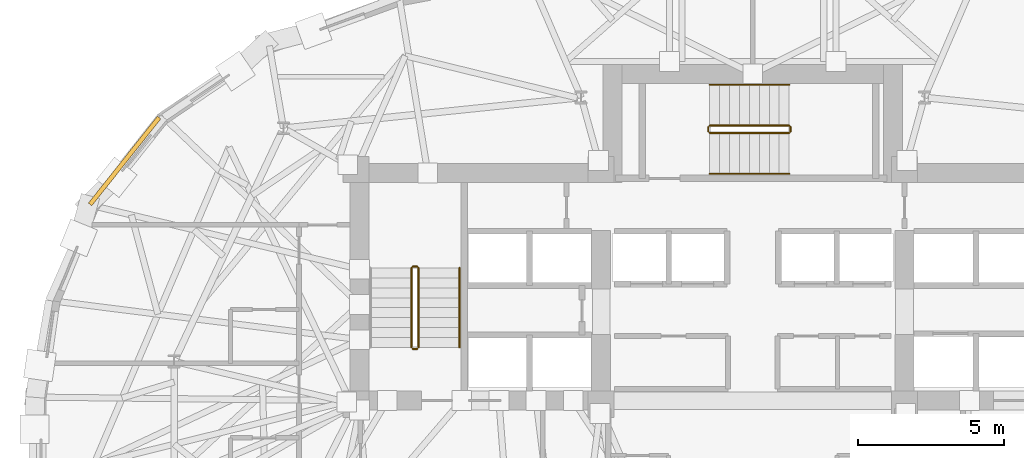
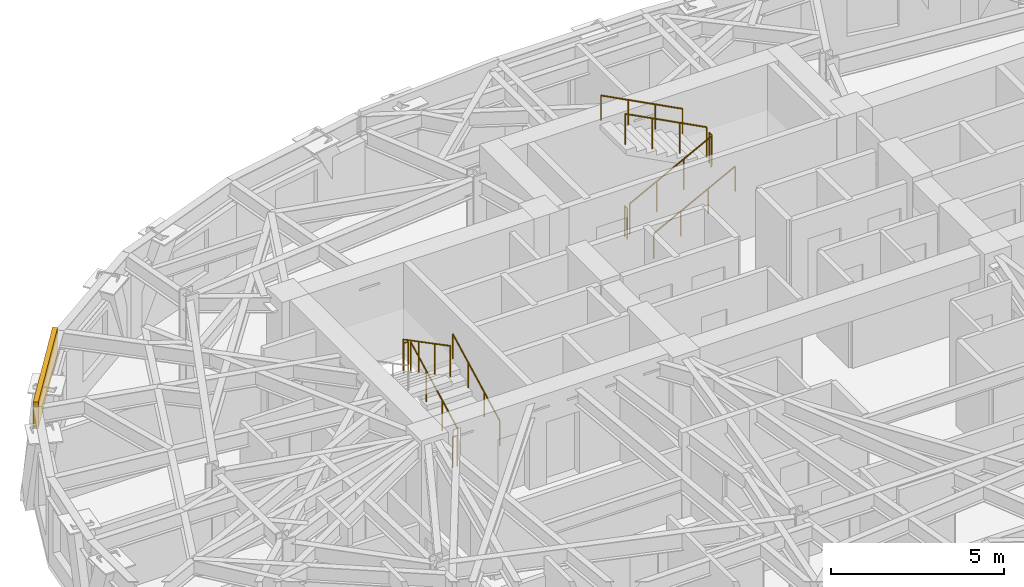
# One storey, part 13 of 15: 11 railings, 1 covering.
"""IFC4 building model written with IfcOpenShell, lengths in metres."""

from ifc_helpers import new_model, si_unit, direction, frame, origin, origin_2d, place, context, subcontext, project, spatial, rectangle, circle, extrude, material, layer, layer_set, type_object, element, save


model = new_model("IFC4")

# Units and contexts
model_context = context("Model", 3, precision=1e-05, world=origin(), true_north=direction((0.0, 1.0)))
body_context = subcontext(model_context, "Body", "Model", "MODEL_VIEW")
ifc_project = project(units=[si_unit("LENGTHUNIT", "METRE"), si_unit("AREAUNIT", "SQUARE_METRE"), si_unit("VOLUMEUNIT", "CUBIC_METRE"), si_unit("PLANEANGLEUNIT", "RADIAN"), si_unit("MASSUNIT", "GRAM", prefix="KILO")], contexts=[model_context])

# Site, building, storey
site_placement = place(None, origin())
site = spatial("IfcSite", under=ifc_project, at=site_placement, CompositionType="ELEMENT")
building_placement = place(site_placement, origin())
building = spatial("IfcBuilding", under=site, at=building_placement, Name="Keldmark Tower", CompositionType="ELEMENT")
storey_placement = place(building_placement, frame((0.0, 0.0, 147.0)))
storey = spatial("IfcBuildingStorey", under=building, at=storey_placement, Name="L39", CompositionType="ELEMENT", Elevation=147.0)

# Covering
ifc_material_1 = material(Name="Honed Kasota Buff Dolomitic Limestone", Category="masonry")
ifc_layer = layer(ifc_material_1, 0.074951171875)
ifc_layer_set = layer_set([ifc_layer], Name="Honed Kasota Buff Dolomitic Limestone")
covering_type = type_object("IfcCoveringType", Name="Kasota Buff Limestone Spandrel Cladding Band", PredefinedType="CLADDING", material=ifc_layer_set)
covering_placement = place(storey_placement, frame((-21.526123046875, 9.739501953125, 2.239013671875), z_axis=(0.0, 0.0, 1.0), x_axis=(-0.622145772126, -0.782901423058, 0.0)))
element("IfcCovering", 1, at=covering_placement, inside=storey, type_object=covering_type, Name="L39 Kasota Limestone Spandrel Band 13", PredefinedType="CLADDING", context=body_context, shape_type="SweptSolid", body=[
    extrude(rectangle(XDim=3.802978515625, YDim=0.14990234375, at=origin_2d()), origin(), (0.0, 0.0, 1.0), 0.94091796875),
])

# Railings
ifc_material_2 = material(Name="Painted Steel ASTM A500 Grade B", Category="steel")
railing_type_1 = type_object("IfcRailingType", Name="Painted Steel Stair Well Guard 1100 mm", PredefinedType="GUARDRAIL", material=ifc_material_2)
railing_1_placement = place(storey_placement, frame((-11.449951171875, 3.35009765625, 0.177734375)))
element("IfcRailing", 2, at=railing_1_placement, inside=storey, type_object=railing_type_1, Name="L39 ST1 stair guard 1", PredefinedType="GUARDRAIL", context=body_context, shape_type="SweptSolid", body=[
    extrude(circle(Radius=0.02392578125, at=origin_2d()), frame((0.0, 0.0, 1.076171875), z_axis=(0.0, 0.886150474775, 0.463397600399), x_axis=(-1.0, 0.0, 0.0)), (0.0, 0.0, 1.0), 3.0693359375),
    extrude(circle(Radius=0.02099609375, at=origin_2d()), origin(), (0.0, 0.0, 1.0), 1.052001953125),
    extrude(circle(Radius=0.02099609375, at=origin_2d()), frame((0.0, 0.90673828125, 0.47412109375)), (0.0, 0.0, 1.0), 1.052001953125),
    extrude(circle(Radius=0.02099609375, at=origin_2d()), frame((0.0, 1.813232421875, 0.9482421875)), (0.0, 0.0, 1.0), 1.052001953125),
    extrude(circle(Radius=0.02099609375, at=origin_2d()), frame((0.0, 2.719970703125, 1.42236328125)), (0.0, 0.0, 1.0), 1.052001953125),
])
railing_2_placement = place(storey_placement, frame((-11.5, 6.1201171875, 1.60009765625)))
element("IfcRailing", 3, at=railing_2_placement, inside=storey, type_object=railing_type_1, Name="L39 ST1 stair guard 2", PredefinedType="GUARDRAIL", context=body_context, shape_type="SweptSolid", body=[
    extrude(circle(Radius=0.02392578125, at=origin_2d()), frame((0.0, 0.0, 1.076171875), z_axis=(-1.0, 0.0, 0.0), x_axis=(0.0, -1.0, 0.0)), (0.0, 0.0, 1.0), 0.14990234375),
    extrude(circle(Radius=0.02099609375, at=origin_2d()), origin(), (0.0, 0.0, 1.0), 1.052001953125),
    extrude(circle(Radius=0.02099609375, at=origin_2d()), frame((-0.14990234375, 0.0, 0.0)), (0.0, 0.0, 1.0), 1.052001953125),
])
railing_3_placement = place(storey_placement, frame((-11.699951171875, 6.070068359375, 1.77783203125)))
element("IfcRailing", 4, at=railing_3_placement, inside=storey, type_object=railing_type_1, Name="L39 ST1 stair guard 3", PredefinedType="GUARDRAIL", context=body_context, shape_type="SweptSolid", body=[
    extrude(circle(Radius=0.02392578125, at=origin_2d()), frame((0.0, 0.0, 1.076171875), z_axis=(0.0, -0.886183135912, 0.463335137482), x_axis=(1.0, 0.0, 0.0)), (0.0, 0.0, 1.0), 3.0693359375),
    extrude(circle(Radius=0.02099609375, at=origin_2d()), origin(), (0.0, 0.0, 1.0), 1.052001953125),
    extrude(circle(Radius=0.02099609375, at=origin_2d()), frame((0.0, -0.90673828125, 0.47412109375)), (0.0, 0.0, 1.0), 1.052001953125),
    extrude(circle(Radius=0.02099609375, at=origin_2d()), frame((0.0, -1.813232421875, 0.947998046875)), (0.0, 0.0, 1.0), 1.052001953125),
    extrude(circle(Radius=0.02099609375, at=origin_2d()), frame((0.0, -2.719970703125, 1.422119140625)), (0.0, 0.0, 1.0), 1.052001953125),
])
railing_4_placement = place(storey_placement, frame((-11.5, 3.300048828125, 0.0)))
element("IfcRailing", 5, at=railing_4_placement, inside=storey, type_object=railing_type_1, Name="L39 ST1 stair guard 4", PredefinedType="GUARDRAIL", context=body_context, shape_type="SweptSolid", body=[
    extrude(circle(Radius=0.02392578125, at=origin_2d()), frame((0.0, 0.0, 1.076171875), z_axis=(-1.0, 0.0, 0.0), x_axis=(0.0, -1.0, 0.0)), (0.0, 0.0, 1.0), 0.14990234375),
    extrude(circle(Radius=0.02099609375, at=origin_2d()), origin(), (0.0, 0.0, 1.0), 1.052001953125),
    extrude(circle(Radius=0.02099609375, at=origin_2d()), frame((-0.14990234375, 0.0, 0.0)), (0.0, 0.0, 1.0), 1.052001953125),
])
railing_5_placement = place(storey_placement, frame((-1.47509765625, 10.699951171875, 0.177734375)))
element("IfcRailing", 6, at=railing_5_placement, inside=storey, type_object=railing_type_1, Name="L39 ST3 stair guard 1", PredefinedType="GUARDRAIL", context=body_context, shape_type="SweptSolid", body=[
    extrude(circle(Radius=0.02392578125, at=origin_2d()), frame((0.0, 0.0, 1.076171875), z_axis=(0.886167553088, 0.0, 0.463364940252), x_axis=(0.0, 1.0, 0.0)), (0.0, 0.0, 1.0), 3.069580078125),
    extrude(circle(Radius=0.02099609375, at=origin_2d()), origin(), (0.0, 0.0, 1.0), 1.052001953125),
    extrude(circle(Radius=0.02099609375, at=origin_2d()), frame((0.90673828125, 0.0, 0.47412109375)), (0.0, 0.0, 1.0), 1.052001953125),
    extrude(circle(Radius=0.02099609375, at=origin_2d()), frame((1.8134765625, 0.0, 0.9482421875)), (0.0, 0.0, 1.0), 1.052001953125),
    extrude(circle(Radius=0.02099609375, at=origin_2d()), frame((2.72021484375, 0.0, 1.42236328125)), (0.0, 0.0, 1.0), 1.052001953125),
])
railing_6_placement = place(storey_placement, frame((1.294921875, 10.75, 1.60009765625)))
element("IfcRailing", 7, at=railing_6_placement, inside=storey, type_object=railing_type_1, Name="L39 ST3 stair guard 2", PredefinedType="GUARDRAIL", context=body_context, shape_type="SweptSolid", body=[
    extrude(circle(Radius=0.02392578125, at=origin_2d()), frame((0.0, 0.0, 1.076171875), z_axis=(0.0, 1.0, 0.0), x_axis=(-1.0, 0.0, 0.0)), (0.0, 0.0, 1.0), 0.14990234375),
    extrude(circle(Radius=0.02099609375, at=origin_2d()), origin(), (0.0, 0.0, 1.0), 1.052001953125),
    extrude(circle(Radius=0.02099609375, at=origin_2d()), frame((0.0, 0.14990234375, 0.0)), (0.0, 0.0, 1.0), 1.052001953125),
])
railing_7_placement = place(storey_placement, frame((1.2451171875, 10.949951171875, 1.77783203125)))
element("IfcRailing", 8, at=railing_7_placement, inside=storey, type_object=railing_type_1, Name="L39 ST3 stair guard 3", PredefinedType="GUARDRAIL", context=body_context, shape_type="SweptSolid", body=[
    extrude(circle(Radius=0.02392578125, at=origin_2d()), frame((0.0, 0.0, 1.076171875), z_axis=(-0.886200210249, 0.0, 0.463302479331), x_axis=(0.0, -1.0, 0.0)), (0.0, 0.0, 1.0), 3.069580078125),
    extrude(circle(Radius=0.02099609375, at=origin_2d()), origin(), (0.0, 0.0, 1.0), 1.052001953125),
    extrude(circle(Radius=0.02099609375, at=origin_2d()), frame((-0.90673828125, 0.0, 0.47412109375)), (0.0, 0.0, 1.0), 1.052001953125),
    extrude(circle(Radius=0.02099609375, at=origin_2d()), frame((-1.8134765625, 0.0, 0.947998046875)), (0.0, 0.0, 1.0), 1.052001953125),
    extrude(circle(Radius=0.02099609375, at=origin_2d()), frame((-2.72021484375, 0.0, 1.422119140625)), (0.0, 0.0, 1.0), 1.052001953125),
])
railing_8_placement = place(storey_placement, frame((-1.52490234375, 10.75, 0.0)))
element("IfcRailing", 9, at=railing_8_placement, inside=storey, type_object=railing_type_1, Name="L39 ST3 stair guard 4", PredefinedType="GUARDRAIL", context=body_context, shape_type="SweptSolid", body=[
    extrude(circle(Radius=0.02392578125, at=origin_2d()), frame((0.0, 0.0, 1.076171875), z_axis=(0.0, 1.0, 0.0), x_axis=(-1.0, 0.0, 0.0)), (0.0, 0.0, 1.0), 0.14990234375),
    extrude(circle(Radius=0.02099609375, at=origin_2d()), origin(), (0.0, 0.0, 1.0), 1.052001953125),
    extrude(circle(Radius=0.02099609375, at=origin_2d()), frame((0.0, 0.14990234375, 0.0)), (0.0, 0.0, 1.0), 1.052001953125),
])
ifc_material_3 = material(Name="Stainless Steel AISI 316L", Category="steel")
railing_type_2 = type_object("IfcRailingType", Name="Stainless Steel Stair Handrail 900 mm", PredefinedType="HANDRAIL", material=ifc_material_3)
railing_9_placement = place(storey_placement, frame((-10.050048828125, 3.35009765625, 0.177734375)))
element("IfcRailing", 10, at=railing_9_placement, inside=storey, type_object=railing_type_2, Name="L39 ST1 stair handrail 1", PredefinedType="HANDRAIL", context=body_context, shape_type="SweptSolid", body=[
    extrude(circle(Radius=0.02392578125, at=origin_2d()), frame((0.0, 0.0, 0.8759765625), z_axis=(0.0, 0.886150474775, 0.463397600399), x_axis=(-1.0, 0.0, 0.0)), (0.0, 0.0, 1.0), 3.0693359375),
    extrude(circle(Radius=0.02099609375, at=origin_2d()), origin(), (0.0, 0.0, 1.0), 0.851806640625),
    extrude(circle(Radius=0.02099609375, at=origin_2d()), frame((0.0, 0.90673828125, 0.47412109375)), (0.0, 0.0, 1.0), 0.851806640625),
    extrude(circle(Radius=0.02099609375, at=origin_2d()), frame((0.0, 1.813232421875, 0.9482421875)), (0.0, 0.0, 1.0), 0.851806640625),
    extrude(circle(Radius=0.02099609375, at=origin_2d()), frame((0.0, 2.719970703125, 1.42236328125)), (0.0, 0.0, 1.0), 0.851806640625),
])
railing_10_placement = place(storey_placement, frame((-1.47509765625, 9.300048828125, 0.177734375)))
element("IfcRailing", 11, at=railing_10_placement, inside=storey, type_object=railing_type_2, Name="L39 ST3 stair handrail 1", PredefinedType="HANDRAIL", context=body_context, shape_type="SweptSolid", body=[
    extrude(circle(Radius=0.02392578125, at=origin_2d()), frame((0.0, 0.0, 0.8759765625), z_axis=(0.886167553088, 0.0, 0.463364940252), x_axis=(0.0, 1.0, 0.0)), (0.0, 0.0, 1.0), 3.069580078125),
    extrude(circle(Radius=0.02099609375, at=origin_2d()), origin(), (0.0, 0.0, 1.0), 0.851806640625),
    extrude(circle(Radius=0.02099609375, at=origin_2d()), frame((0.90673828125, 0.0, 0.47412109375)), (0.0, 0.0, 1.0), 0.851806640625),
    extrude(circle(Radius=0.02099609375, at=origin_2d()), frame((1.8134765625, 0.0, 0.9482421875)), (0.0, 0.0, 1.0), 0.851806640625),
    extrude(circle(Radius=0.02099609375, at=origin_2d()), frame((2.72021484375, 0.0, 1.42236328125)), (0.0, 0.0, 1.0), 0.851806640625),
])
railing_11_placement = place(storey_placement, frame((1.2451171875, 12.35009765625, 1.77783203125)))
element("IfcRailing", 12, at=railing_11_placement, inside=storey, type_object=railing_type_2, Name="L39 ST3 stair handrail 2", PredefinedType="HANDRAIL", context=body_context, shape_type="SweptSolid", body=[
    extrude(circle(Radius=0.02392578125, at=origin_2d()), frame((0.0, 0.0, 0.8759765625), z_axis=(-0.886200210249, 0.0, 0.463302479331), x_axis=(0.0, -1.0, 0.0)), (0.0, 0.0, 1.0), 3.069580078125),
    extrude(circle(Radius=0.02099609375, at=origin_2d()), origin(), (0.0, 0.0, 1.0), 0.851806640625),
    extrude(circle(Radius=0.02099609375, at=origin_2d()), frame((-0.90673828125, 0.0, 0.47412109375)), (0.0, 0.0, 1.0), 0.851806640625),
    extrude(circle(Radius=0.02099609375, at=origin_2d()), frame((-1.8134765625, 0.0, 0.947998046875)), (0.0, 0.0, 1.0), 0.851806640625),
    extrude(circle(Radius=0.02099609375, at=origin_2d()), frame((-2.72021484375, 0.0, 1.422119140625)), (0.0, 0.0, 1.0), 0.851806640625),
])

save(model, "model.ifc")
